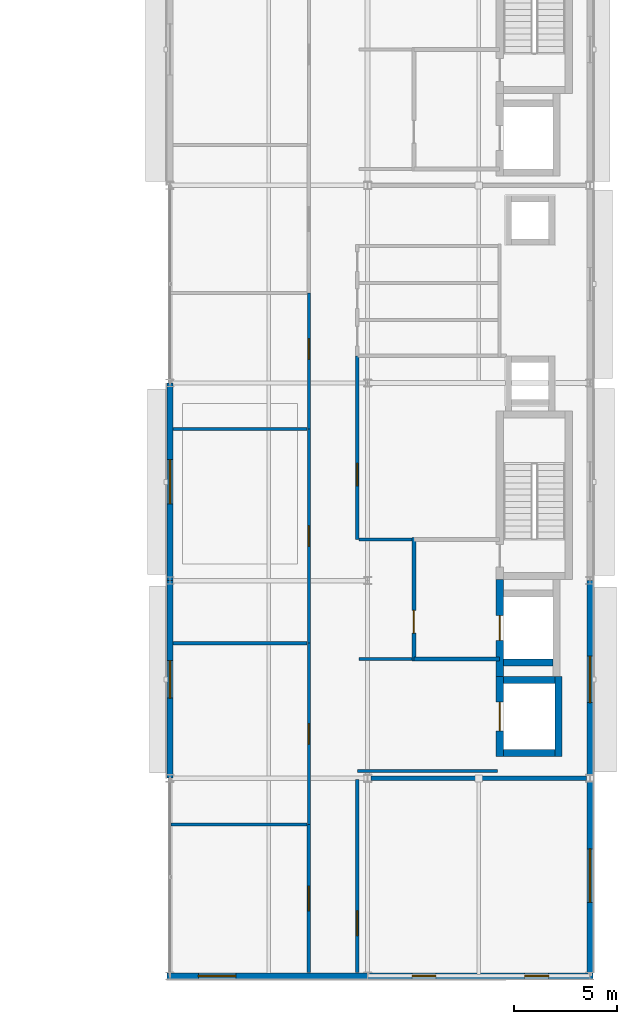
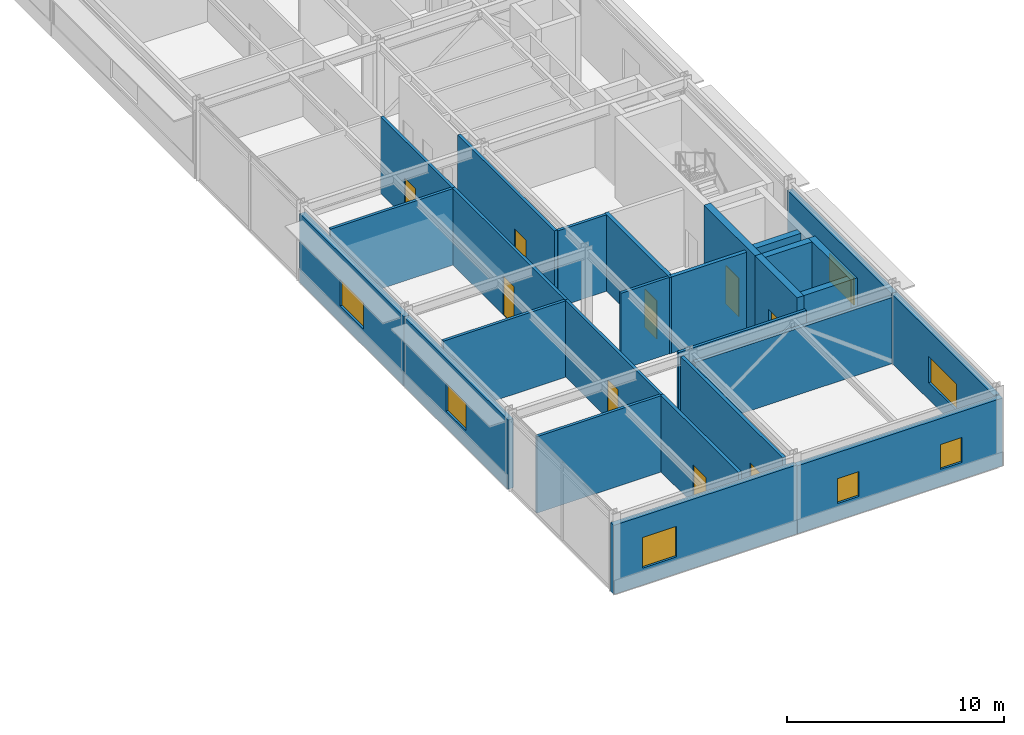
# One storey, part 88 of 116: 27 walls, 9 doors, 7 windows, 16 openings.
"""IFC4 building model written with IfcOpenShell, lengths in metres."""

import ifcopenshell
import ifcopenshell.guid

model = None  # the IFC model being written
_history = None  # IfcOwnerHistory: only IFC2X3 demands one
_inside = {}  # id of a spatial element -> (the spatial element, [elements in it])
_under = {}  # id of a project, library or spatial element -> (it, [spatial elements below it])
_declared = {}  # id of a project -> (the project, [libraries it declares])
_typed = {}  # id of a type object -> (the type object, [elements of that type])
_made_of = {}  # id of a material, layer set ... -> (it, [elements and type objects made of it])


def new_model(schema):
    """Start an empty IFC model of exactly this schema.

    Asked for "IFC4X3", IfcOpenShell would pick the latest addendum, in which some entities
    have other attributes; the version numbers below select the first issue.
    IFC2X3 requires an IfcOwnerHistory on every rooted entity: one is made here for all.
    """
    global model, _history
    if schema == "IFC4X3":
        model = ifcopenshell.file(schema_version=(4, 3, 0, 0))
    else:
        model = ifcopenshell.file(schema=schema)
    _inside.clear()
    _under.clear()
    _declared.clear()
    _typed.clear()
    _made_of.clear()
    _history = None
    if model.schema == "IFC2X3":
        org = make("IfcOrganization", Name="unknown")
        user = make(
            "IfcPersonAndOrganization",
            ThePerson=make("IfcPerson", FamilyName="unknown"),
            TheOrganization=org,
        )
        app = make(
            "IfcApplication",
            ApplicationDeveloper=org,
            Version="unknown",
            ApplicationFullName="unknown",
            ApplicationIdentifier="unknown",
        )
        _history = make(
            "IfcOwnerHistory",
            OwningUser=user,
            OwningApplication=app,
            ChangeAction="ADDED",
            CreationDate=0,
        )
    return model


def make(cls, **values):
    """One entity of the class cls with the attributes given. An attribute that is None is left unset."""
    return model.create_entity(
        cls, **{name: value for name, value in values.items() if value is not None}
    )


def rooted(cls, **values):
    """An entity with a GlobalId (a new one), such as an element, a storey or a relation."""
    return make(cls, GlobalId=ifcopenshell.guid.new(), OwnerHistory=_history, **values)


def si_unit(unit_type, name, prefix=None):
    """IfcSIUnit, for example si_unit("LENGTHUNIT", "METRE", prefix="MILLI")."""
    return make("IfcSIUnit", UnitType=unit_type, Prefix=prefix, Name=name)


def assignment(units):
    """IfcUnitAssignment: the units of a project."""
    return None if units is None else make("IfcUnitAssignment", Units=units)


def point(xyz):
    """IfcCartesianPoint."""
    return None if xyz is None else make("IfcCartesianPoint", Coordinates=xyz)


def direction(xyz):
    """IfcDirection."""
    return None if xyz is None else make("IfcDirection", DirectionRatios=xyz)


def frame(location, z_axis=None, x_axis=None):
    """IfcAxis2Placement3D, a coordinate frame: its origin and axes. An axis left out is left unset."""
    return make(
        "IfcAxis2Placement3D",
        Location=point(location),
        Axis=direction(z_axis),
        RefDirection=direction(x_axis),
    )


def frame_2d(location, x_axis=None):
    """IfcAxis2Placement2D, a coordinate frame in the plane: its origin and x axis."""
    return make(
        "IfcAxis2Placement2D", Location=point(location), RefDirection=direction(x_axis)
    )


def origin():
    """The frame at (0, 0, 0) with its axes left unset."""
    return frame((0.0, 0.0, 0.0))


def place(relative_to, where):
    """IfcLocalPlacement: puts the frame where relative to a parent placement (None: the world)."""
    return make(
        "IfcLocalPlacement", PlacementRelTo=relative_to, RelativePlacement=where
    )


def context(
    kind, dimensions, precision=None, world=None, true_north=None, identifier=None
):
    """IfcGeometricRepresentationContext, for example the 3D "Model" context."""
    return make(
        "IfcGeometricRepresentationContext",
        ContextIdentifier=identifier,
        ContextType=kind,
        CoordinateSpaceDimension=dimensions,
        Precision=precision,
        WorldCoordinateSystem=world,
        TrueNorth=true_north,
    )


def subcontext(parent, identifier, kind, view, scale=None):
    """IfcGeometricRepresentationSubContext, for example "Body" below "Model"."""
    return make(
        "IfcGeometricRepresentationSubContext",
        ContextIdentifier=identifier,
        ContextType=kind,
        ParentContext=parent,
        TargetScale=scale,
        TargetView=view,
    )


def project(units=None, contexts=None):
    """IfcProject with its units and contexts."""
    return rooted(
        "IfcProject",
        Name="project",
        RepresentationContexts=contexts,
        UnitsInContext=assignment(units),
    )


def spatial(cls, under=None, at=None, **own):
    """A site, building, storey or space (cls), placed at a placement, below another one or the project."""
    s = rooted(cls, ObjectPlacement=at, **own)
    if under is not None:
        _under.setdefault(under.id(), (under, []))[1].append(s)
    return s


def profile(cls, at=None, kind="AREA", **sizes):
    """A parametric profile (cls). Its sizes go by their IFC names, for example OverallWidth=200.0."""
    return make(cls, ProfileType=kind, Position=at, **sizes)


def rectangle(**sizes):
    """IfcRectangleProfileDef."""
    return profile("IfcRectangleProfileDef", **sizes)


def extrude(swept, where, along, depth):
    """IfcExtrudedAreaSolid: the profile swept, set in the frame where, extruded along a direction by depth."""
    return make(
        "IfcExtrudedAreaSolid",
        SweptArea=swept,
        Position=where,
        ExtrudedDirection=direction(along),
        Depth=depth,
    )


def shape(context_of_items, identifier, shape_type, items):
    """IfcShapeRepresentation: the items that make up one representation, for example the "Body"."""
    return make(
        "IfcShapeRepresentation",
        ContextOfItems=context_of_items,
        RepresentationIdentifier=identifier,
        RepresentationType=shape_type,
        Items=items,
    )


def material(Name=None, Category=None):
    """IfcMaterial."""
    return make("IfcMaterial", Name=Name, Category=Category)


def layer(
    of_material, thickness, ventilated=None, Name=None, Category=None, Priority=None
):
    """IfcMaterialLayer: one layer of a wall or slab, of a material (None: an air gap)."""
    return make(
        "IfcMaterialLayer",
        Material=of_material,
        LayerThickness=thickness,
        IsVentilated=ventilated,
        Name=Name,
        Category=Category,
        Priority=Priority,
    )


def layer_set(layers, Name=None):
    """IfcMaterialLayerSet."""
    return make("IfcMaterialLayerSet", MaterialLayers=layers, LayerSetName=Name)


def made_of(thing, what):
    """Note that an element or type object is made of a material, layer set ...; save() writes the relation."""
    if what is not None:
        _made_of.setdefault(what.id(), (what, []))[1].append(thing)
    return thing


def type_object(cls, material=None, **own):
    """A type object (cls), such as IfcWallType, which elements share."""
    return made_of(rooted(cls, **own), material)


def element(
    cls,
    number,
    at=None,
    inside=None,
    cuts=None,
    type_object=None,
    material=None,
    context=None,
    identifier="Body",
    shape_type=None,
    held_by="IfcProductDefinitionShape",
    body=None,
    shapes=None,
    **own,
):
    """One element of the class cls, such as IfcWall. Its Tag is "e" and its number.

    at: its placement. inside: the storey or other place that contains it. cuts: it is an
    opening in that element (IfcRelVoidsElement). A single representation is given by context,
    identifier, shape_type and body (its items); several are given by shapes. held_by: the class
    of the entity that holds the representations. save() writes the other relations.
    """
    e = rooted(cls, Tag="e%d" % number, ObjectPlacement=at, **own)
    if body is not None:
        shapes = [shape(context, identifier, shape_type, body)]
    if shapes is not None:
        e.Representation = make(held_by, Representations=shapes)
    if inside is not None:
        _inside.setdefault(inside.id(), (inside, []))[1].append(e)
    if cuts is not None:
        rooted(
            "IfcRelVoidsElement", RelatingBuildingElement=cuts, RelatedOpeningElement=e
        )
    if type_object is not None:
        _typed.setdefault(type_object.id(), (type_object, []))[1].append(e)
    return made_of(e, material)


def fill(opening, filler):
    """IfcRelFillsElement: the door or window that sits in an opening."""
    return rooted(
        "IfcRelFillsElement",
        RelatingOpeningElement=opening,
        RelatedBuildingElement=filler,
    )


def aggregate(whole, parts):
    """IfcRelAggregates: a whole, such as a stair, and the parts it consists of."""
    return rooted("IfcRelAggregates", RelatingObject=whole, RelatedObjects=parts)


def save(model, path):
    """Write the relations noted so far, then the file.

    IfcRelAggregates (storeys below a building ...), IfcRelContainedInSpatialStructure (elements
    in a storey), IfcRelDefinesByType, IfcRelAssociatesMaterial and IfcRelDeclares: one each for
    every whole, place, type object, material and project.
    """
    for whole, parts in _under.values():
        aggregate(whole, parts)
    for where, things in _inside.values():
        rooted(
            "IfcRelContainedInSpatialStructure",
            RelatedElements=things,
            RelatingStructure=where,
        )
    for kind, things in _typed.values():
        rooted("IfcRelDefinesByType", RelatedObjects=things, RelatingType=kind)
    for what, things in _made_of.values():
        rooted("IfcRelAssociatesMaterial", RelatedObjects=things, RelatingMaterial=what)
    for by, libraries in _declared.values():
        rooted("IfcRelDeclares", RelatingContext=by, RelatedDefinitions=libraries)
    model.write(path)


model = new_model("IFC4")

# Units and contexts
model_context = context("Model", 3, precision=1e-05, world=origin(), true_north=direction((0.0, 1.0)))
body_context = subcontext(model_context, "Body", "Model", "MODEL_VIEW")
ifc_project = project(units=[si_unit("LENGTHUNIT", "METRE"), si_unit("AREAUNIT", "SQUARE_METRE"), si_unit("VOLUMEUNIT", "CUBIC_METRE"), si_unit("PLANEANGLEUNIT", "RADIAN"), si_unit("MASSUNIT", "GRAM", prefix="KILO")], contexts=[model_context])

# Site, building, storey
site_placement = place(None, origin())
site = spatial("IfcSite", under=ifc_project, at=site_placement, CompositionType="ELEMENT")
building_placement = place(site_placement, origin())
building = spatial("IfcBuilding", under=site, at=building_placement, Name="Almandine Court Research Institute", CompositionType="ELEMENT")
storey_placement = place(building_placement, frame((0.0, 0.0, 14.35009765625)))
storey = spatial("IfcBuildingStorey", under=building, at=storey_placement, Name="L03", CompositionType="ELEMENT", Elevation=14.35009765625)

# Wall, opening, window
ifc_material_1 = material(Name="Insulated Ochre Terracotta Rainscreen Wall", Category="masonry")
ifc_layer_1 = layer(ifc_material_1, 0.2900390625)
ifc_layer_set_1 = layer_set([ifc_layer_1], Name="Insulated Ochre Terracotta Rainscreen Wall")
wall_type_1 = type_object("IfcWallType", Name="Wall-EXT-TERR-290", PredefinedType="SOLIDWALL", material=ifc_layer_set_1)
wall_1_placement = place(storey_placement, frame((153.60009765625, 15.60400390625, 0.0), z_axis=(0.0, 0.0, 1.0), x_axis=(0.0, 1.0, 0.0)))
wall_1 = element("IfcWall", 1, at=wall_1_placement, inside=storey, type_object=wall_type_1, Name="L03 Wet Lab West Facade Wall 2", PredefinedType="SOLIDWALL", context=body_context, shape_type="SweptSolid", body=[
    extrude(rectangle(XDim=9.592041015625, YDim=0.2900390625, at=frame_2d((4.7958984375, 0.0))), origin(), (0.0, 0.0, 1.0), 3.891845703125),
])
opening_1_placement = place(wall_1_placement, frame((3.885986328125, 0.0, 0.949951171875)))
opening_1 = element("IfcOpeningElement", 2, at=opening_1_placement, cuts=wall_1, Name="Opening WN-78", PredefinedType="OPENING", context=body_context, shape_type="SweptSolid", body=[
    extrude(rectangle(XDim=1.820068359375, YDim=1.56005859375, at=frame_2d((0.91015625, 0.780029296875))), frame((0.0, 0.155029296875, 0.0), z_axis=(0.0, -1.0, 0.0), x_axis=(1.0, 0.0, 0.0)), (0.0, 0.0, 1.0), 0.31005859375),
])
ifc_material_2 = material(Name="Thermally Broken Low-E Double-Glazed Window", Category="glass")
window_type_1 = type_object("IfcWindowType", Name="Win-WN-78-1820x1560", PartitioningType="SINGLE_PANEL", PredefinedType="WINDOW", material=ifc_material_2)
window_1_placement = place(opening_1_placement, origin())
window_1 = element("IfcWindow", 3, at=window_1_placement, inside=storey, type_object=window_type_1, Name="L03 Modular Recessed Low-E Window 114", OverallHeight=1.56005859375, OverallWidth=1.820068359375, PartitioningType="SINGLE_PANEL", PredefinedType="WINDOW", context=body_context, shape_type="SweptSolid", body=[
    extrude(rectangle(XDim=1.820068359375, YDim=1.56005859375, at=frame_2d((0.91015625, 0.780029296875))), frame((0.0, 0.030029296875, 0.0), z_axis=(0.0, -1.0, 0.0), x_axis=(1.0, 0.0, 0.0)), (0.0, 0.0, 1.0), 0.06005859375),
])
fill(opening_1, window_1)

wall_2_placement = place(storey_placement, frame((153.60009765625, 25.2041015625, 0.0), z_axis=(0.0, 0.0, 1.0), x_axis=(0.0, 1.0, 0.0)))
wall_2 = element("IfcWall", 4, at=wall_2_placement, inside=storey, type_object=wall_type_1, Name="L03 Wet Lab West Facade Wall 3", PredefinedType="SOLIDWALL", context=body_context, shape_type="SweptSolid", body=[
    extrude(rectangle(XDim=9.591796875, YDim=0.2900390625, at=frame_2d((4.7958984375, 0.0))), origin(), (0.0, 0.0, 1.0), 3.891845703125),
])
opening_2_placement = place(wall_2_placement, frame((3.720947265625, 0.0, 0.949951171875)))
opening_2 = element("IfcOpeningElement", 5, at=opening_2_placement, cuts=wall_2, Name="Opening WN-15", PredefinedType="OPENING", context=body_context, shape_type="SweptSolid", body=[
    extrude(rectangle(XDim=2.14990234375, YDim=1.47998046875, at=frame_2d((1.074951171875, 0.739990234375))), frame((0.0, 0.155029296875, 0.0), z_axis=(0.0, -1.0, 0.0), x_axis=(1.0, 0.0, 0.0)), (0.0, 0.0, 1.0), 0.31005859375),
])
window_type_2 = type_object("IfcWindowType", Name="Win-WN-15-2150x1480", PartitioningType="SINGLE_PANEL", PredefinedType="WINDOW", material=ifc_material_2)
window_2_placement = place(opening_2_placement, origin())
window_2 = element("IfcWindow", 6, at=window_2_placement, inside=storey, type_object=window_type_2, Name="L03 Modular Recessed Low-E Window 115", OverallHeight=1.47998046875, OverallWidth=2.14990234375, PartitioningType="SINGLE_PANEL", PredefinedType="WINDOW", context=body_context, shape_type="SweptSolid", body=[
    extrude(rectangle(XDim=2.14990234375, YDim=1.47998046875, at=frame_2d((1.074951171875, 0.739990234375))), frame((0.0, 0.030029296875, 0.0), z_axis=(0.0, -1.0, 0.0), x_axis=(1.0, 0.0, 0.0)), (0.0, 0.0, 1.0), 0.06005859375),
])
fill(opening_2, window_2)

wall_3_placement = place(storey_placement, frame((174.0, 25.196044921875, 0.0), z_axis=(0.0, 0.0, 1.0), x_axis=(0.0, -1.0, 0.0)))
wall_3 = element("IfcWall", 7, at=wall_3_placement, inside=storey, type_object=wall_type_1, Name="L03 Wet Lab East Facade Wall 2", PredefinedType="SOLIDWALL", context=body_context, shape_type="SweptSolid", body=[
    extrude(rectangle(XDim=9.592041015625, YDim=0.2900390625, at=frame_2d((4.7958984375, 0.0))), origin(), (0.0, 0.0, 1.0), 3.8837890625),
])
opening_3_placement = place(wall_3_placement, frame((3.666015625, 0.0, 0.949951171875)))
opening_3 = element("IfcOpeningElement", 8, at=opening_3_placement, cuts=wall_3, Name="Opening WN-64", PredefinedType="OPENING", context=body_context, shape_type="SweptSolid", body=[
    extrude(rectangle(XDim=2.260009765625, YDim=1.56005859375, at=frame_2d((1.1298828125, 0.780029296875))), frame((0.0, 0.155029296875, 0.0), z_axis=(0.0, -1.0, 0.0), x_axis=(1.0, 0.0, 0.0)), (0.0, 0.0, 1.0), 0.31005859375),
])
window_type_3 = type_object("IfcWindowType", Name="Win-WN-64-2260x1560", PartitioningType="SINGLE_PANEL", PredefinedType="WINDOW", material=ifc_material_2)
window_3_placement = place(opening_3_placement, origin())
window_3 = element("IfcWindow", 9, at=window_3_placement, inside=storey, type_object=window_type_3, Name="L03 Modular Recessed Low-E Window 126", OverallHeight=1.56005859375, OverallWidth=2.260009765625, PartitioningType="SINGLE_PANEL", PredefinedType="WINDOW", context=body_context, shape_type="SweptSolid", body=[
    extrude(rectangle(XDim=2.260009765625, YDim=1.56005859375, at=frame_2d((1.1298828125, 0.780029296875))), frame((0.0, 0.030029296875, 0.0), z_axis=(0.0, -1.0, 0.0), x_axis=(1.0, 0.0, 0.0)), (0.0, 0.0, 1.0), 0.06005859375),
])
fill(opening_3, window_3)

wall_4_placement = place(storey_placement, frame((174.0, 15.595947265625, 0.0), z_axis=(0.0, 0.0, 1.0), x_axis=(0.0, -1.0, 0.0)))
wall_4 = element("IfcWall", 10, at=wall_4_placement, inside=storey, type_object=wall_type_1, Name="L03 Wet Lab East Facade Wall 1", PredefinedType="SOLIDWALL", context=body_context, shape_type="SweptSolid", body=[
    extrude(rectangle(XDim=9.447021484375, YDim=0.2900390625, at=frame_2d((4.7236328125, 0.0))), origin(), (0.0, 0.0, 1.0), 3.8837890625),
])
opening_4_placement = place(wall_4_placement, frame((3.427978515625, 0.0, 0.949951171875)))
opening_4 = element("IfcOpeningElement", 11, at=opening_4_placement, cuts=wall_4, Name="Opening WN-65", PredefinedType="OPENING", context=body_context, shape_type="SweptSolid", body=[
    extrude(rectangle(XDim=2.590087890625, YDim=1.47998046875, at=frame_2d((1.294921875, 0.739990234375))), frame((0.0, 0.155029296875, 0.0), z_axis=(0.0, -1.0, 0.0), x_axis=(1.0, 0.0, 0.0)), (0.0, 0.0, 1.0), 0.31005859375),
])
window_type_4 = type_object("IfcWindowType", Name="Win-WN-65-2590x1480", PartitioningType="SINGLE_PANEL", PredefinedType="WINDOW", material=ifc_material_2)
window_4_placement = place(opening_4_placement, origin())
window_4 = element("IfcWindow", 12, at=window_4_placement, inside=storey, type_object=window_type_4, Name="L03 Modular Recessed Low-E Window 127", OverallHeight=1.47998046875, OverallWidth=2.590087890625, PartitioningType="SINGLE_PANEL", PredefinedType="WINDOW", context=body_context, shape_type="SweptSolid", body=[
    extrude(rectangle(XDim=2.590087890625, YDim=1.47998046875, at=frame_2d((1.294921875, 0.739990234375))), frame((0.0, 0.030029296875, 0.0), z_axis=(0.0, -1.0, 0.0), x_axis=(1.0, 0.0, 0.0)), (0.0, 0.0, 1.0), 0.06005859375),
])
fill(opening_4, window_4)

# Wall, openings, windows
wall_5_placement = place(storey_placement, frame((174.14501953125, 6.0, 0.0), z_axis=(0.0, 0.0, 1.0), x_axis=(-1.0, 0.0, 0.0)))
wall_5 = element("IfcWall", 13, at=wall_5_placement, inside=storey, type_object=wall_type_1, Name="L03 Wet Lab South Wall 1", PredefinedType="SOLIDWALL", context=body_context, shape_type="SweptSolid", body=[
    extrude(rectangle(XDim=10.94091796875, YDim=0.2900390625, at=frame_2d((5.470458984375, 0.0))), origin(), (0.0, 0.0, 1.0), 3.81591796875),
])
opening_5_placement = place(wall_5_placement, frame((2.155029296875, 0.0, 0.949951171875)))
opening_5 = element("IfcOpeningElement", 14, at=opening_5_placement, cuts=wall_5, Name="Opening WN-66", PredefinedType="OPENING", context=body_context, shape_type="SweptSolid", body=[
    extrude(rectangle(XDim=1.159912109375, YDim=1.39990234375, at=frame_2d((0.580078125, 0.699951171875))), frame((0.0, 0.155029296875, 0.0), z_axis=(0.0, -1.0, 0.0), x_axis=(1.0, 0.0, 0.0)), (0.0, 0.0, 1.0), 0.31005859375),
])
opening_6_placement = place(wall_5_placement, frame((7.6259765625, 0.0, 0.949951171875)))
opening_6 = element("IfcOpeningElement", 15, at=opening_6_placement, cuts=wall_5, Name="Opening WN-66", PredefinedType="OPENING", context=body_context, shape_type="SweptSolid", body=[
    extrude(rectangle(XDim=1.159912109375, YDim=1.39990234375, at=frame_2d((0.580078125, 0.699951171875))), frame((0.0, 0.155029296875, 0.0), z_axis=(0.0, -1.0, 0.0), x_axis=(1.0, 0.0, 0.0)), (0.0, 0.0, 1.0), 0.31005859375),
])
window_type_5 = type_object("IfcWindowType", Name="Win-WN-66-1160x1400", PartitioningType="SINGLE_PANEL", PredefinedType="WINDOW", material=ifc_material_2)
window_5_placement = place(opening_5_placement, origin())
window_5 = element("IfcWindow", 16, at=window_5_placement, inside=storey, type_object=window_type_5, Name="L03 Modular Recessed Low-E Window 128", OverallHeight=1.39990234375, OverallWidth=1.159912109375, PartitioningType="SINGLE_PANEL", PredefinedType="WINDOW", context=body_context, shape_type="SweptSolid", body=[
    extrude(rectangle(XDim=1.159912109375, YDim=1.39990234375, at=frame_2d((0.580078125, 0.699951171875))), frame((0.0, 0.030029296875, 0.0), z_axis=(0.0, -1.0, 0.0), x_axis=(1.0, 0.0, 0.0)), (0.0, 0.0, 1.0), 0.06005859375),
])
fill(opening_5, window_5)
window_6_placement = place(opening_6_placement, origin())
window_6 = element("IfcWindow", 17, at=window_6_placement, inside=storey, type_object=window_type_5, Name="L03 Modular Recessed Low-E Window 129", OverallHeight=1.39990234375, OverallWidth=1.159912109375, PartitioningType="SINGLE_PANEL", PredefinedType="WINDOW", context=body_context, shape_type="SweptSolid", body=[
    extrude(rectangle(XDim=1.159912109375, YDim=1.39990234375, at=frame_2d((0.580078125, 0.699951171875))), frame((0.0, 0.030029296875, 0.0), z_axis=(0.0, -1.0, 0.0), x_axis=(1.0, 0.0, 0.0)), (0.0, 0.0, 1.0), 0.06005859375),
])
fill(opening_6, window_6)

# Wall, opening, window
wall_6_placement = place(storey_placement, frame((163.196044921875, 6.0, 0.0), z_axis=(0.0, 0.0, 1.0), x_axis=(-1.0, 0.0, 0.0)))
wall_6 = element("IfcWall", 18, at=wall_6_placement, inside=storey, type_object=wall_type_1, Name="L03 Wet Lab South Wall 2", PredefinedType="SOLIDWALL", context=body_context, shape_type="SweptSolid", body=[
    extrude(rectangle(XDim=9.740966796875, YDim=0.2900390625, at=frame_2d((4.87060546875, 0.0))), origin(), (0.0, 0.0, 1.0), 3.8837890625),
])
opening_7_placement = place(wall_6_placement, frame((6.39599609375, 0.0, 0.949951171875)))
opening_7 = element("IfcOpeningElement", 19, at=opening_7_placement, cuts=wall_6, Name="Opening WN-68", PredefinedType="OPENING", context=body_context, shape_type="SweptSolid", body=[
    extrude(rectangle(XDim=1.820068359375, YDim=1.719970703125, at=frame_2d((0.91015625, 0.85986328125))), frame((0.0, 0.155029296875, 0.0), z_axis=(0.0, -1.0, 0.0), x_axis=(1.0, 0.0, 0.0)), (0.0, 0.0, 1.0), 0.31005859375),
])
window_type_6 = type_object("IfcWindowType", Name="Win-WN-68-1820x1720", PartitioningType="SINGLE_PANEL", PredefinedType="WINDOW", material=ifc_material_2)
window_7_placement = place(opening_7_placement, origin())
window_7 = element("IfcWindow", 20, at=window_7_placement, inside=storey, type_object=window_type_6, Name="L03 Modular Recessed Low-E Window 130", OverallHeight=1.719970703125, OverallWidth=1.820068359375, PartitioningType="SINGLE_PANEL", PredefinedType="WINDOW", context=body_context, shape_type="SweptSolid", body=[
    extrude(rectangle(XDim=1.820068359375, YDim=1.719970703125, at=frame_2d((0.91015625, 0.85986328125))), frame((0.0, 0.030029296875, 0.0), z_axis=(0.0, -1.0, 0.0), x_axis=(1.0, 0.0, 0.0)), (0.0, 0.0, 1.0), 0.06005859375),
])
fill(opening_7, window_7)

# Wall, opening, door
ifc_material_3 = material(Name="One-Hour Fire-Rated Laboratory Partition")
ifc_layer_2 = layer(ifc_material_3, 0.175048828125)
ifc_layer_set_2 = layer_set([ifc_layer_2], Name="One-Hour Fire-Rated Laboratory Partition")
wall_type_2 = type_object("IfcWallType", Name="Wall-FIRE-175", PredefinedType="PARTITIONING", material=ifc_layer_set_2)
wall_7_placement = place(storey_placement, frame((160.35009765625, 6.159912109375, 0.0), z_axis=(0.0, 0.0, 1.0), x_axis=(0.0, 1.0, 0.0)))
wall_7 = element("IfcWall", 21, at=wall_7_placement, inside=storey, type_object=wall_type_2, Name="L03 Interior Partition W-V4-L03-WW-0", PredefinedType="PARTITIONING", context=body_context, shape_type="SweptSolid", body=[
    extrude(rectangle(XDim=7.2001953125, YDim=0.175048828125, at=frame_2d((3.60009765625, 0.0))), origin(), (0.0, 0.0, 1.0), 4.2998046875),
])
opening_8_placement = place(wall_7_placement, frame((3.0, 0.0, 0.0)))
opening_8 = element("IfcOpeningElement", 22, at=opening_8_placement, cuts=wall_7, Name="Opening FD-LAB", PredefinedType="OPENING", context=body_context, shape_type="SweptSolid", body=[
    extrude(rectangle(XDim=1.199951171875, YDim=2.199951171875, at=frame_2d((0.60009765625, 1.10009765625))), frame((0.0, 0.097412109375, 0.0), z_axis=(0.0, -1.0, 0.0), x_axis=(1.0, 0.0, 0.0)), (0.0, 0.0, 1.0), 0.195068359375),
])
ifc_material_4 = material(Name="Fire-Rated Laboratory Containment Door")
door_type_1 = type_object("IfcDoorType", Name="Door-FD-LAB-1200", OperationType="NOTDEFINED", PredefinedType="DOOR", material=ifc_material_4)
door_1_placement = place(opening_8_placement, origin())
door_1 = element("IfcDoor", 23, at=door_1_placement, inside=storey, type_object=door_type_1, Name="L03 Biosciences BSL-2 Laboratory Door", OperationType="SINGLE_SWING_LEFT", OverallHeight=2.199951171875, OverallWidth=1.199951171875, PredefinedType="DOOR", context=body_context, shape_type="SweptSolid", body=[
    extrude(rectangle(XDim=1.199951171875, YDim=2.199951171875, at=frame_2d((0.60009765625, 1.10009765625))), frame((0.0, 0.02490234375, 0.0), z_axis=(0.0, -1.0, 0.0), x_axis=(1.0, 0.0, 0.0)), (0.0, 0.0, 1.0), 0.050048828125),
])
fill(opening_8, door_1)

wall_8_placement = place(storey_placement, frame((162.699951171875, 6.159912109375, 0.0), z_axis=(0.0, 0.0, 1.0), x_axis=(0.0, 1.0, 0.0)))
wall_8 = element("IfcWall", 24, at=wall_8_placement, inside=storey, type_object=wall_type_2, Name="L03 Interior Partition W-V4-L03-EW-S", PredefinedType="PARTITIONING", context=body_context, shape_type="SweptSolid", body=[
    extrude(rectangle(XDim=9.39013671875, YDim=0.175048828125, at=frame_2d((4.695068359375, 0.0))), origin(), (0.0, 0.0, 1.0), 4.2998046875),
])
opening_9_placement = place(wall_8_placement, frame((1.800048828125, 0.0, 0.0)))
opening_9 = element("IfcOpeningElement", 25, at=opening_9_placement, cuts=wall_8, Name="Opening FD-LAB", PredefinedType="OPENING", context=body_context, shape_type="SweptSolid", body=[
    extrude(rectangle(XDim=1.199951171875, YDim=2.199951171875, at=frame_2d((0.60009765625, 1.10009765625))), frame((0.0, 0.097412109375, 0.0), z_axis=(0.0, -1.0, 0.0), x_axis=(1.0, 0.0, 0.0)), (0.0, 0.0, 1.0), 0.195068359375),
])
door_2_placement = place(opening_9_placement, origin())
door_2 = element("IfcDoor", 26, at=door_2_placement, inside=storey, type_object=door_type_1, Name="L03 Analytical Lab Door", OperationType="SINGLE_SWING_RIGHT", OverallHeight=2.199951171875, OverallWidth=1.199951171875, PredefinedType="DOOR", context=body_context, shape_type="SweptSolid", body=[
    extrude(rectangle(XDim=1.199951171875, YDim=2.199951171875, at=frame_2d((0.60009765625, 1.10009765625))), frame((0.0, 0.02490234375, 0.0), z_axis=(0.0, -1.0, 0.0), x_axis=(1.0, 0.0, 0.0)), (0.0, 0.0, 1.0), 0.050048828125),
])
fill(opening_9, door_2)

# Wall
ifc_material_5 = material(Name="Two-Hour Fire-Barrier Enclosure Wall")
ifc_layer_3 = layer(ifc_material_5, 0.199951171875)
ifc_layer_set_3 = layer_set([ifc_layer_3], Name="Two-Hour Fire-Barrier Enclosure Wall")
wall_type_3 = type_object("IfcWallType", Name="Wall-FIRE-200", PredefinedType="SOLIDWALL", material=ifc_layer_set_3)
wall_9_placement = place(storey_placement, frame((163.360107421875, 15.60009765625, 0.0), z_axis=(0.0, 0.0, 1.0), x_axis=(1.0, 0.0, 0.0)))
element("IfcWall", 27, at=wall_9_placement, inside=storey, type_object=wall_type_3, Name="L03 Interior Partition W-BF-V4-BF1-L03", PredefinedType="SOLIDWALL", context=body_context, shape_type="SweptSolid", body=[
    extrude(rectangle(XDim=10.47998046875, YDim=0.199951171875, at=frame_2d((5.239990234375, 0.0))), origin(), (0.0, 0.0, 1.0), 3.73779296875),
])

# Wall, opening, door
wall_10_placement = place(storey_placement, frame((165.449951171875, 21.300048828125, 0.0), z_axis=(0.0, 0.0, 1.0), x_axis=(0.0, 1.0, 0.0)))
wall_10 = element("IfcWall", 28, at=wall_10_placement, inside=storey, type_object=wall_type_3, Name="L03 Interior Partition W-FFL1-L03-W", PredefinedType="SOLIDWALL", context=body_context, shape_type="SweptSolid", body=[
    extrude(rectangle(XDim=6.0, YDim=0.199951171875, at=frame_2d((3.0, 0.0))), origin(), (0.0, 0.0, 1.0), 4.2998046875),
])
opening_10_placement = place(wall_10_placement, frame((1.35009765625, 0.0, 0.0)))
opening_10 = element("IfcOpeningElement", 29, at=opening_10_placement, cuts=wall_10, Name="Opening FD-FFL", PredefinedType="OPENING", context=body_context, shape_type="SweptSolid", body=[
    extrude(rectangle(XDim=1.10009765625, YDim=2.14990234375, at=frame_2d((0.550048828125, 1.074951171875))), frame((0.0, 0.10986328125, 0.0), z_axis=(0.0, -1.0, 0.0), x_axis=(1.0, 0.0, 0.0)), (0.0, 0.0, 1.0), 0.219970703125),
])
ifc_material_6 = material(Name="Smoke-Tight Firefighting Lobby Fire Door")
door_type_2 = type_object("IfcDoorType", Name="Door-FD-FFL-1100", OperationType="NOTDEFINED", PredefinedType="DOOR", material=ifc_material_6)
door_3_placement = place(opening_10_placement, origin())
door_3 = element("IfcDoor", 30, at=door_3_placement, inside=storey, type_object=door_type_2, Name="L03 Firefighting Lobby Fire Door 1", OperationType="SINGLE_SWING_LEFT", OverallHeight=2.14990234375, OverallWidth=1.10009765625, PredefinedType="DOOR", context=body_context, shape_type="SweptSolid", body=[
    extrude(rectangle(XDim=1.10009765625, YDim=2.14990234375, at=frame_2d((0.550048828125, 1.074951171875))), frame((0.0, 0.02490234375, 0.0), z_axis=(0.0, -1.0, 0.0), x_axis=(1.0, 0.0, 0.0)), (0.0, 0.0, 1.0), 0.050048828125),
])
fill(opening_10, door_3)

# Walls
wall_11_placement = place(storey_placement, frame((165.449951171875, 21.39990234375, 0.0), z_axis=(0.0, 0.0, 1.0), x_axis=(1.0, 0.0, 0.0)))
element("IfcWall", 31, at=wall_11_placement, inside=storey, type_object=wall_type_3, Name="L03 Interior Partition W-FFL1-L03-S", PredefinedType="SOLIDWALL", context=body_context, shape_type="SweptSolid", body=[
    extrude(rectangle(XDim=4.150146484375, YDim=0.199951171875, at=frame_2d((2.0751953125, 0.0))), origin(), (0.0, 0.0, 1.0), 4.2998046875),
])
ifc_material_7 = material(Name="Acoustic Steel-Stud Gypsum Partition Wall", Category="steel")
ifc_layer_4 = layer(ifc_material_7, 0.14990234375)
ifc_layer_set_4 = layer_set([ifc_layer_4], Name="Acoustic Steel-Stud Gypsum Partition Wall")
wall_type_4 = type_object("IfcWallType", Name="Wall-PART-150", PredefinedType="PARTITIONING", material=ifc_layer_set_4)
wall_12_placement = place(storey_placement, frame((153.659912109375, 13.360107421875, 0.0), z_axis=(0.0, 0.0, 1.0), x_axis=(1.0, 0.0, 0.0)))
element("IfcWall", 32, at=wall_12_placement, inside=storey, type_object=wall_type_4, Name="L03 Interior Partition W-V4-L03-WDIV-0", PredefinedType="PARTITIONING", context=body_context, shape_type="SweptSolid", body=[
    extrude(rectangle(XDim=6.610107421875, YDim=0.14990234375, at=frame_2d((3.30517578125, 0.0))), origin(), (0.0, 0.0, 1.0), 4.2998046875),
])

# Wall, opening, door
wall_13_placement = place(storey_placement, frame((160.35009765625, 13.360107421875, 0.0), z_axis=(0.0, 0.0, 1.0), x_axis=(0.0, 1.0, 0.0)))
wall_13 = element("IfcWall", 33, at=wall_13_placement, inside=storey, type_object=wall_type_4, Name="L03 Interior Partition W-V4-L03-WW-1", PredefinedType="PARTITIONING", context=body_context, shape_type="SweptSolid", body=[
    extrude(rectangle(XDim=8.7998046875, YDim=0.14990234375, at=frame_2d((4.39990234375, 0.0))), origin(), (0.0, 0.0, 1.0), 4.2998046875),
])
opening_11_placement = place(wall_13_placement, frame((3.89990234375, 0.0, 0.0)))
opening_11 = element("IfcOpeningElement", 34, at=opening_11_placement, cuts=wall_13, Name="Opening D-02", PredefinedType="OPENING", context=body_context, shape_type="SweptSolid", body=[
    extrude(rectangle(XDim=1.0, YDim=2.199951171875, at=frame_2d((0.5, 1.10009765625))), frame((0.0, 0.0849609375, 0.0), z_axis=(0.0, -1.0, 0.0), x_axis=(1.0, 0.0, 0.0)), (0.0, 0.0, 1.0), 0.169921875),
])
ifc_material_8 = material(Name="Solid-Core Timber Researcher Office Door", Category="wood")
door_type_3 = type_object("IfcDoorType", Name="Door-INT-1000", OperationType="NOTDEFINED", PredefinedType="DOOR", material=ifc_material_8)
door_4_placement = place(opening_11_placement, origin())
door_4 = element("IfcDoor", 35, at=door_4_placement, inside=storey, type_object=door_type_3, Name="L03 Seminar Room Door", OperationType="SINGLE_SWING_RIGHT", OverallHeight=2.199951171875, OverallWidth=1.0, PredefinedType="DOOR", context=body_context, shape_type="SweptSolid", body=[
    extrude(rectangle(XDim=1.0, YDim=2.199951171875, at=frame_2d((0.5, 1.10009765625))), frame((0.0, 0.02490234375, 0.0), z_axis=(0.0, -1.0, 0.0), x_axis=(1.0, 0.0, 0.0)), (0.0, 0.0, 1.0), 0.050048828125),
])
fill(opening_11, door_4)

# Wall
wall_14_placement = place(storey_placement, frame((153.760009765625, 22.159912109375, 0.0), z_axis=(0.0, 0.0, 1.0), x_axis=(1.0, 0.0, 0.0)))
element("IfcWall", 36, at=wall_14_placement, inside=storey, type_object=wall_type_4, Name="L03 Interior Partition W-V4-L03-WDIV-1", PredefinedType="PARTITIONING", context=body_context, shape_type="SweptSolid", body=[
    extrude(rectangle(XDim=6.510009765625, YDim=0.14990234375, at=frame_2d((3.2548828125, 0.0))), origin(), (0.0, 0.0, 1.0), 4.2998046875),
])

# Wall, opening, door
wall_15_placement = place(storey_placement, frame((160.35009765625, 22.159912109375, 0.0), z_axis=(0.0, 0.0, 1.0), x_axis=(0.0, 1.0, 0.0)))
wall_15 = element("IfcWall", 37, at=wall_15_placement, inside=storey, type_object=wall_type_4, Name="L03 Interior Partition W-V4-L03-WW-2", PredefinedType="PARTITIONING", context=body_context, shape_type="SweptSolid", body=[
    extrude(rectangle(XDim=10.400146484375, YDim=0.14990234375, at=frame_2d((5.2001953125, 0.0))), origin(), (0.0, 0.0, 1.0), 4.2998046875),
])
opening_12_placement = place(wall_15_placement, frame((4.699951171875, 0.0, 0.0)))
opening_12 = element("IfcOpeningElement", 38, at=opening_12_placement, cuts=wall_15, Name="Opening D-02", PredefinedType="OPENING", context=body_context, shape_type="SweptSolid", body=[
    extrude(rectangle(XDim=1.0, YDim=2.199951171875, at=frame_2d((0.5, 1.10009765625))), frame((0.0, 0.0849609375, 0.0), z_axis=(0.0, -1.0, 0.0), x_axis=(1.0, 0.0, 0.0)), (0.0, 0.0, 1.0), 0.169921875),
])
door_5_placement = place(opening_12_placement, origin())
door_5 = element("IfcDoor", 39, at=door_5_placement, inside=storey, type_object=door_type_3, Name="L03 Instrument Room Door", OperationType="SINGLE_SWING_LEFT", OverallHeight=2.199951171875, OverallWidth=1.0, PredefinedType="DOOR", context=body_context, shape_type="SweptSolid", body=[
    extrude(rectangle(XDim=1.0, YDim=2.199951171875, at=frame_2d((0.5, 1.10009765625))), frame((0.0, 0.02490234375, 0.0), z_axis=(0.0, -1.0, 0.0), x_axis=(1.0, 0.0, 0.0)), (0.0, 0.0, 1.0), 0.050048828125),
])
fill(opening_12, door_5)

# Wall
wall_16_placement = place(storey_placement, frame((153.760009765625, 32.56005859375, 0.0), z_axis=(0.0, 0.0, 1.0), x_axis=(1.0, 0.0, 0.0)))
element("IfcWall", 40, at=wall_16_placement, inside=storey, type_object=wall_type_4, Name="L03 Interior Partition W-V4-L03-WDIV-2", PredefinedType="PARTITIONING", context=body_context, shape_type="SweptSolid", body=[
    extrude(rectangle(XDim=6.510009765625, YDim=0.14990234375, at=frame_2d((3.2548828125, 0.0))), origin(), (0.0, 0.0, 1.0), 4.2998046875),
])

# Wall, opening, door
wall_17_placement = place(storey_placement, frame((160.35009765625, 32.56005859375, 0.0), z_axis=(0.0, 0.0, 1.0), x_axis=(0.0, 1.0, 0.0)))
wall_17 = element("IfcWall", 41, at=wall_17_placement, inside=storey, type_object=wall_type_4, Name="L03 Interior Partition W-V4-L03-WW-3", PredefinedType="PARTITIONING", context=body_context, shape_type="SweptSolid", body=[
    extrude(rectangle(XDim=6.599853515625, YDim=0.14990234375, at=frame_2d((3.2998046875, 0.0))), origin(), (0.0, 0.0, 1.0), 4.2998046875),
])
opening_13_placement = place(wall_17_placement, frame((3.389892578125, 0.0, 0.0)))
opening_13 = element("IfcOpeningElement", 42, at=opening_13_placement, cuts=wall_17, Name="Opening D-02", PredefinedType="OPENING", context=body_context, shape_type="SweptSolid", body=[
    extrude(rectangle(XDim=1.0, YDim=2.199951171875, at=frame_2d((0.5, 1.10009765625))), frame((0.0, 0.0849609375, 0.0), z_axis=(0.0, -1.0, 0.0), x_axis=(1.0, 0.0, 0.0)), (0.0, 0.0, 1.0), 0.169921875),
])
door_6_placement = place(opening_13_placement, origin())
door_6 = element("IfcDoor", 43, at=door_6_placement, inside=storey, type_object=door_type_3, Name="L03 Write-up Office Door", OperationType="SINGLE_SWING_RIGHT", OverallHeight=2.199951171875, OverallWidth=1.0, PredefinedType="DOOR", context=body_context, shape_type="SweptSolid", body=[
    extrude(rectangle(XDim=1.0, YDim=2.199951171875, at=frame_2d((0.5, 1.10009765625))), frame((0.0, 0.02490234375, 0.0), z_axis=(0.0, -1.0, 0.0), x_axis=(1.0, 0.0, 0.0)), (0.0, 0.0, 1.0), 0.050048828125),
])
fill(opening_13, door_6)

# Wall
wall_18_placement = place(storey_placement, frame((162.780029296875, 27.199951171875, 0.0), z_axis=(0.0, 0.0, 1.0), x_axis=(1.0, 0.0, 0.0)))
element("IfcWall", 44, at=wall_18_placement, inside=storey, type_object=wall_type_4, Name="L03 Interior Partition W-V4-L03-SPEC-S", PredefinedType="PARTITIONING", context=body_context, shape_type="SweptSolid", body=[
    extrude(rectangle(XDim=2.570068359375, YDim=0.14990234375, at=frame_2d((1.28515625, 0.0))), origin(), (0.0, 0.0, 1.0), 4.2998046875),
])

# Wall, opening, door
wall_19_placement = place(storey_placement, frame((162.699951171875, 27.199951171875, 0.0), z_axis=(0.0, 0.0, 1.0), x_axis=(0.0, 1.0, 0.0)))
wall_19 = element("IfcWall", 45, at=wall_19_placement, inside=storey, type_object=wall_type_4, Name="L03 Interior Partition W-V4-L03-EW-M", PredefinedType="PARTITIONING", context=body_context, shape_type="SweptSolid", body=[
    extrude(rectangle(XDim=8.920166015625, YDim=0.14990234375, at=frame_2d((4.4599609375, 0.0))), origin(), (0.0, 0.0, 1.0), 4.2998046875),
])
opening_14_placement = place(wall_19_placement, frame((2.60009765625, 0.0, 0.0)))
opening_14 = element("IfcOpeningElement", 46, at=opening_14_placement, cuts=wall_19, Name="Opening D-03", PredefinedType="OPENING", context=body_context, shape_type="SweptSolid", body=[
    extrude(rectangle(XDim=1.10009765625, YDim=2.199951171875, at=frame_2d((0.550048828125, 1.10009765625))), frame((0.0, 0.0849609375, 0.0), z_axis=(0.0, -1.0, 0.0), x_axis=(1.0, 0.0, 0.0)), (0.0, 0.0, 1.0), 0.169921875),
])
ifc_material_9 = material(Name="Acoustic Vision-Panel Seminar Door")
door_type_4 = type_object("IfcDoorType", Name="Door-INT-1100", OperationType="NOTDEFINED", PredefinedType="DOOR", material=ifc_material_9)
door_7_placement = place(opening_14_placement, origin())
door_7 = element("IfcDoor", 47, at=door_7_placement, inside=storey, type_object=door_type_4, Name="L03 Spectroscopy Suite Door", OperationType="SINGLE_SWING_LEFT", OverallHeight=2.199951171875, OverallWidth=1.10009765625, PredefinedType="DOOR", context=body_context, shape_type="SweptSolid", body=[
    extrude(rectangle(XDim=1.10009765625, YDim=2.199951171875, at=frame_2d((0.550048828125, 1.10009765625))), frame((0.0, 0.02490234375, 0.0), z_axis=(0.0, -1.0, 0.0), x_axis=(1.0, 0.0, 0.0)), (0.0, 0.0, 1.0), 0.050048828125),
])
fill(opening_14, door_7)

# Walls
wall_20_placement = place(storey_placement, frame((162.780029296875, 21.39990234375, 0.0), z_axis=(0.0, 0.0, 1.0), x_axis=(1.0, 0.0, 0.0)))
element("IfcWall", 48, at=wall_20_placement, inside=storey, type_object=wall_type_4, Name="L03 Interior Partition W-V4-L03-FFL1-CS", PredefinedType="PARTITIONING", context=body_context, shape_type="SweptSolid", body=[
    extrude(rectangle(XDim=2.570068359375, YDim=0.14990234375, at=frame_2d((1.28515625, 0.0))), origin(), (0.0, 0.0, 1.0), 4.2998046875),
])
wall_21_placement = place(storey_placement, frame((162.699951171875, 15.949951171875, 0.0), z_axis=(0.0, 0.0, 1.0), x_axis=(1.0, 0.0, 0.0)))
element("IfcWall", 49, at=wall_21_placement, inside=storey, type_object=wall_type_4, Name="L03 Interior Partition W-V4-L03-GL1-CS", PredefinedType="PARTITIONING", context=body_context, shape_type="SweptSolid", body=[
    extrude(rectangle(XDim=6.800048828125, YDim=0.14990234375, at=frame_2d((3.39990234375, 0.0))), origin(), (0.0, 0.0, 1.0), 4.2998046875),
])

# Wall, opening, door
ifc_material_10 = material(Name="Concrete C40/50", Category="concrete")
ifc_layer_5 = layer(ifc_material_10, 0.35009765625)
ifc_layer_set_5 = layer_set([ifc_layer_5], Name="Concrete C40/50")
wall_type_5 = type_object("IfcWallType", Name="Wall-SW-CORE-350", PredefinedType="SHEAR", material=ifc_layer_set_5)
wall_22_placement = place(storey_placement, frame((169.625, 20.550048828125, 0.0), z_axis=(0.0, 0.0, 1.0), x_axis=(0.0, 1.0, 0.0)))
wall_22 = element("IfcWall", 50, at=wall_22_placement, inside=storey, type_object=wall_type_5, Name="L03 FL-01 Hoistway W Shear Wall", PredefinedType="SHEAR", context=body_context, shape_type="SweptSolid", body=[
    extrude(rectangle(XDim=4.699951171875, YDim=0.35009765625, at=frame_2d((2.35009765625, 0.0))), origin(), (0.0, 0.0, 1.0), 4.5498046875),
])
opening_15_placement = place(wall_22_placement, frame((1.75, 0.0, 0.0)))
opening_15 = element("IfcOpeningElement", 51, at=opening_15_placement, cuts=wall_22, Name="Opening LD-02", PredefinedType="OPENING", context=body_context, shape_type="SweptSolid", body=[
    extrude(rectangle(XDim=1.199951171875, YDim=2.14990234375, at=frame_2d((0.60009765625, 1.074951171875))), frame((0.0, 0.18505859375, 0.0), z_axis=(0.0, -1.0, 0.0), x_axis=(1.0, 0.0, 0.0)), (0.0, 0.0, 1.0), 0.3701171875),
])
ifc_material_11 = material(Name="Firefighting Lift Landing Sliding Door")
door_type_5 = type_object("IfcDoorType", Name="Door-LD-FSAE-1200", OperationType="SLIDING_TO_LEFT", PredefinedType="USERDEFINED", material=ifc_material_11)
door_8_placement = place(opening_15_placement, origin())
door_8 = element("IfcDoor", 52, at=door_8_placement, inside=storey, type_object=door_type_5, Name="L03 Firefighting Lift FL-01 Sliding Landing Door", ObjectType="LANDING DOOR", OperationType="SLIDING_TO_LEFT", OverallHeight=2.14990234375, OverallWidth=1.199951171875, PredefinedType="USERDEFINED", context=body_context, shape_type="SweptSolid", body=[
    extrude(rectangle(XDim=1.199951171875, YDim=2.14990234375, at=frame_2d((0.60009765625, 1.074951171875))), frame((0.0, 0.02490234375, 0.0), z_axis=(0.0, -1.0, 0.0), x_axis=(1.0, 0.0, 0.0)), (0.0, 0.0, 1.0), 0.050048828125),
])
fill(opening_15, door_8)

# Wall
wall_23_placement = place(storey_placement, frame((172.199951171875, 21.22509765625, 0.0), z_axis=(0.0, 0.0, 1.0), x_axis=(-1.0, 0.0, 0.0)))
element("IfcWall", 53, at=wall_23_placement, inside=storey, type_object=wall_type_5, Name="L03 FL-01 Hoistway S Shear Wall", PredefinedType="SHEAR", context=body_context, shape_type="SweptSolid", body=[
    extrude(rectangle(XDim=2.39990234375, YDim=0.35009765625, at=frame_2d((1.199951171875, 0.0))), origin(), (0.0, 0.0, 1.0), 4.5498046875),
])

# Wall, opening, door
wall_24_placement = place(storey_placement, frame((169.625, 16.64990234375, 0.0), z_axis=(0.0, 0.0, 1.0), x_axis=(0.0, 1.0, 0.0)))
wall_24 = element("IfcWall", 54, at=wall_24_placement, inside=storey, type_object=wall_type_5, Name="L03 GL-01 Hoistway W Shear Wall", PredefinedType="SHEAR", context=body_context, shape_type="SweptSolid", body=[
    extrude(rectangle(XDim=3.900146484375, YDim=0.35009765625, at=frame_2d((1.9501953125, 0.0))), origin(), (0.0, 0.0, 1.0), 4.5498046875),
])
opening_16_placement = place(wall_24_placement, frame((1.25, 0.0, 0.0)))
opening_16 = element("IfcOpeningElement", 55, at=opening_16_placement, cuts=wall_24, Name="Opening LD-03", PredefinedType="OPENING", context=body_context, shape_type="SweptSolid", body=[
    extrude(rectangle(XDim=1.39990234375, YDim=2.300048828125, at=frame_2d((0.699951171875, 1.14990234375))), frame((0.0, 0.18505859375, 0.0), z_axis=(0.0, -1.0, 0.0), x_axis=(1.0, 0.0, 0.0)), (0.0, 0.0, 1.0), 0.3701171875),
])
ifc_material_12 = material(Name="Heavy Goods Lift Landing Sliding Door")
door_type_6 = type_object("IfcDoorType", Name="Door-LD-GOOD-1400", OperationType="SLIDING_TO_LEFT", PredefinedType="USERDEFINED", material=ifc_material_12)
door_9_placement = place(opening_16_placement, origin())
door_9 = element("IfcDoor", 56, at=door_9_placement, inside=storey, type_object=door_type_6, Name="L03 Wet Laboratory Goods Lift GL-01 Sliding Landing Door", ObjectType="LANDING DOOR", OperationType="SLIDING_TO_LEFT", OverallHeight=2.300048828125, OverallWidth=1.39990234375, PredefinedType="USERDEFINED", context=body_context, shape_type="SweptSolid", body=[
    extrude(rectangle(XDim=1.39990234375, YDim=2.300048828125, at=frame_2d((0.699951171875, 1.14990234375))), frame((0.0, 0.02490234375, 0.0), z_axis=(0.0, -1.0, 0.0), x_axis=(1.0, 0.0, 0.0)), (0.0, 0.0, 1.0), 0.050048828125),
])
fill(opening_16, door_9)

# Walls
wall_25_placement = place(storey_placement, frame((169.800048828125, 20.375, 0.0), z_axis=(0.0, 0.0, 1.0), x_axis=(1.0, 0.0, 0.0)))
element("IfcWall", 57, at=wall_25_placement, inside=storey, type_object=wall_type_5, Name="L03 GL-01 Hoistway N Shear Wall", PredefinedType="SHEAR", context=body_context, shape_type="SweptSolid", body=[
    extrude(rectangle(XDim=2.5, YDim=0.35009765625, at=frame_2d((1.25, 0.0))), origin(), (0.0, 0.0, 1.0), 4.5498046875),
])
wall_26_placement = place(storey_placement, frame((172.47509765625, 20.550048828125, 0.0), z_axis=(0.0, 0.0, 1.0), x_axis=(0.0, -1.0, 0.0)))
element("IfcWall", 58, at=wall_26_placement, inside=storey, type_object=wall_type_5, Name="L03 GL-01 Hoistway E Shear Wall", PredefinedType="SHEAR", context=body_context, shape_type="SweptSolid", body=[
    extrude(rectangle(XDim=3.900146484375, YDim=0.35009765625, at=frame_2d((1.9501953125, 0.0))), origin(), (0.0, 0.0, 1.0), 4.5498046875),
])
wall_27_placement = place(storey_placement, frame((172.300048828125, 16.824951171875, 0.0), z_axis=(0.0, 0.0, 1.0), x_axis=(-1.0, 0.0, 0.0)))
element("IfcWall", 59, at=wall_27_placement, inside=storey, type_object=wall_type_5, Name="L03 GL-01 Hoistway S Shear Wall", PredefinedType="SHEAR", context=body_context, shape_type="SweptSolid", body=[
    extrude(rectangle(XDim=2.5, YDim=0.35009765625, at=frame_2d((1.25, 0.0))), origin(), (0.0, 0.0, 1.0), 4.5498046875),
])

save(model, "model.ifc")
